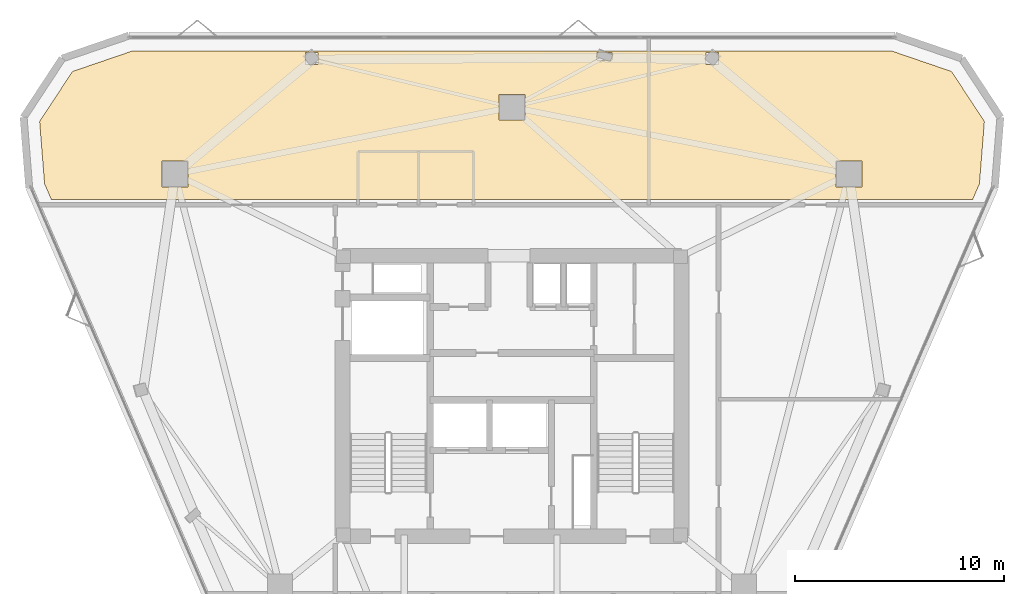
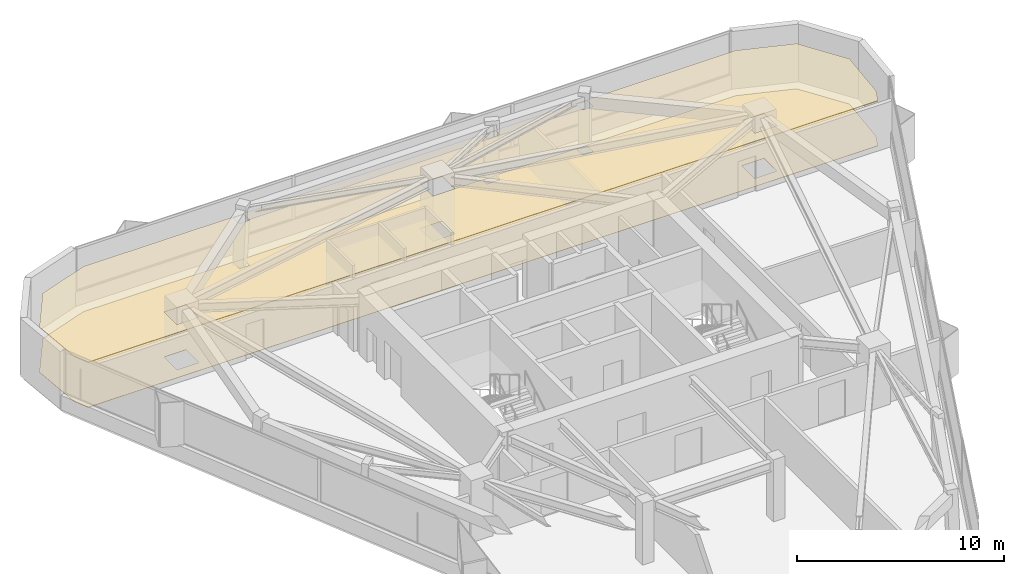
# One storey, part 12 of 12: 2 coverings.
"""IFC4 building model written with IfcOpenShell, lengths in metres."""

from ifc_helpers import new_model, si_unit, direction, frame, origin, place, context, subcontext, project, spatial, polyline, outline, extrude, material, layer, layer_set, type_object, element, save


model = new_model("IFC4")

# Units and contexts
model_context = context("Model", 3, precision=1e-05, world=origin(), true_north=direction((0.0, 1.0)))
body_context = subcontext(model_context, "Body", "Model", "MODEL_VIEW")
ifc_project = project(units=[si_unit("LENGTHUNIT", "METRE"), si_unit("AREAUNIT", "SQUARE_METRE"), si_unit("VOLUMEUNIT", "CUBIC_METRE"), si_unit("PLANEANGLEUNIT", "RADIAN"), si_unit("MASSUNIT", "GRAM", prefix="KILO")], contexts=[model_context])

# Site, building, storey
site_placement = place(None, origin())
site = spatial("IfcSite", under=ifc_project, at=site_placement, CompositionType="ELEMENT")
building_placement = place(site_placement, origin())
building = spatial("IfcBuilding", under=site, at=building_placement, Name="Talyreon Biosciences Tower", CompositionType="ELEMENT")
storey_placement = place(building_placement, frame((0.0, 0.0, 246.199951171875)))
storey = spatial("IfcBuildingStorey", under=building, at=storey_placement, Name="L65", CompositionType="ELEMENT", Elevation=246.199951171875)

# Coverings
ifc_material_1 = material(Name="Cleanable acoustic mineral-fibre ceiling tile", Category="gypsum")
ifc_layer_1 = layer(ifc_material_1, 0.0400390625)
ifc_layer_set_1 = layer_set([ifc_layer_1], Name="Cleanable acoustic mineral-fibre ceiling tile")
covering_type_1 = type_object("IfcCoveringType", Name="AcousticCleanroomCeiling_40", PredefinedType="CEILING", material=ifc_layer_set_1)
covering_1_placement = place(storey_placement, frame((0.0, 0.0, 2.64013671875)))
element("IfcCovering", 1, at=covering_1_placement, inside=storey, type_object=covering_type_1, Name="L65 Acoustic Laboratory Ceiling", PredefinedType="CEILING", context=body_context, shape_type="SweptSolid", body=[
    extrude(outline(polyline([(43.427001953125, 81.11279296875), (44.994384765625, 83.5), (47.821044921875, 84.4677734375), (84.178955078125, 84.4677734375), (87.005615234375, 83.5), (88.572998046875, 81.11279296875), (88.33740234375, 78.13427734375), (88.0107421875, 77.3798828125), (43.9892578125, 77.3798828125), (43.66259765625, 78.13427734375), (43.427001953125, 81.11279296875)]), holes=[polyline([(49.28271484375, 77.983642578125), (50.5126953125, 77.983642578125), (50.5126953125, 79.213623046875), (49.28271484375, 79.213623046875), (49.28271484375, 77.983642578125)]), polyline([(65.385009765625, 81.173828125), (66.614990234375, 81.173828125), (66.614990234375, 82.40380859375), (65.385009765625, 82.40380859375), (65.385009765625, 81.173828125)]), polyline([(56.14306640625, 84.4189453125), (56.14306640625, 83.8388671875), (56.722900390625, 83.8388671875), (56.722900390625, 84.4189453125), (56.14306640625, 84.4189453125)]), polyline([(82.71728515625, 77.983642578125), (82.71728515625, 79.213623046875), (81.4873046875, 79.213623046875), (81.4873046875, 77.983642578125), (82.71728515625, 77.983642578125)]), polyline([(75.85693359375, 84.4189453125), (75.277099609375, 84.4189453125), (75.277099609375, 83.8388671875), (75.85693359375, 83.8388671875), (75.85693359375, 84.4189453125)]), polyline([(70.780517578125, 84.4189453125), (70.050537109375, 84.4189453125), (70.050537109375, 84.038818359375), (70.780517578125, 84.038818359375), (70.780517578125, 84.4189453125)])]), origin(), (0.0, 0.0, 1.0), 0.039794921875),
])
ifc_material_2 = material(Name="Chemical-resistant seamless epoxy resin flooring", Category="plastic")
ifc_layer_2 = layer(ifc_material_2, 0.014892578125)
ifc_layer_set_2 = layer_set([ifc_layer_2], Name="Chemical-resistant seamless epoxy resin flooring")
covering_type_2 = type_object("IfcCoveringType", Name="SeamlessEpoxyLabFlooring_15", PredefinedType="FLOORING", material=ifc_layer_set_2)
covering_2_placement = place(storey_placement, origin())
element("IfcCovering", 2, at=covering_2_placement, inside=storey, type_object=covering_type_2, Name="L65 Laboratory Floor Finish", PredefinedType="FLOORING", context=body_context, shape_type="SweptSolid", body=[
    extrude(outline(polyline([(43.427001953125, 81.11279296875), (44.994384765625, 83.5), (47.821044921875, 84.4677734375), (84.178955078125, 84.4677734375), (87.005615234375, 83.5), (88.572998046875, 81.11279296875), (88.33740234375, 78.13427734375), (88.0107421875, 77.3798828125), (43.9892578125, 77.3798828125), (43.66259765625, 78.13427734375), (43.427001953125, 81.11279296875)]), holes=[polyline([(49.28271484375, 77.983642578125), (50.5126953125, 77.983642578125), (50.5126953125, 79.213623046875), (49.28271484375, 79.213623046875), (49.28271484375, 77.983642578125)]), polyline([(65.385009765625, 81.173828125), (66.614990234375, 81.173828125), (66.614990234375, 82.40380859375), (65.385009765625, 82.40380859375), (65.385009765625, 81.173828125)]), polyline([(56.14306640625, 84.4189453125), (56.14306640625, 83.8388671875), (56.722900390625, 83.8388671875), (56.722900390625, 84.4189453125), (56.14306640625, 84.4189453125)]), polyline([(82.71728515625, 77.983642578125), (82.71728515625, 79.213623046875), (81.4873046875, 79.213623046875), (81.4873046875, 77.983642578125), (82.71728515625, 77.983642578125)]), polyline([(75.85693359375, 84.4189453125), (75.277099609375, 84.4189453125), (75.277099609375, 83.8388671875), (75.85693359375, 83.8388671875), (75.85693359375, 84.4189453125)]), polyline([(70.780517578125, 84.4189453125), (70.050537109375, 84.4189453125), (70.050537109375, 84.038818359375), (70.780517578125, 84.038818359375), (70.780517578125, 84.4189453125)])]), origin(), (0.0, 0.0, 1.0), 0.01513671875),
])

save(model, "model.ifc")
